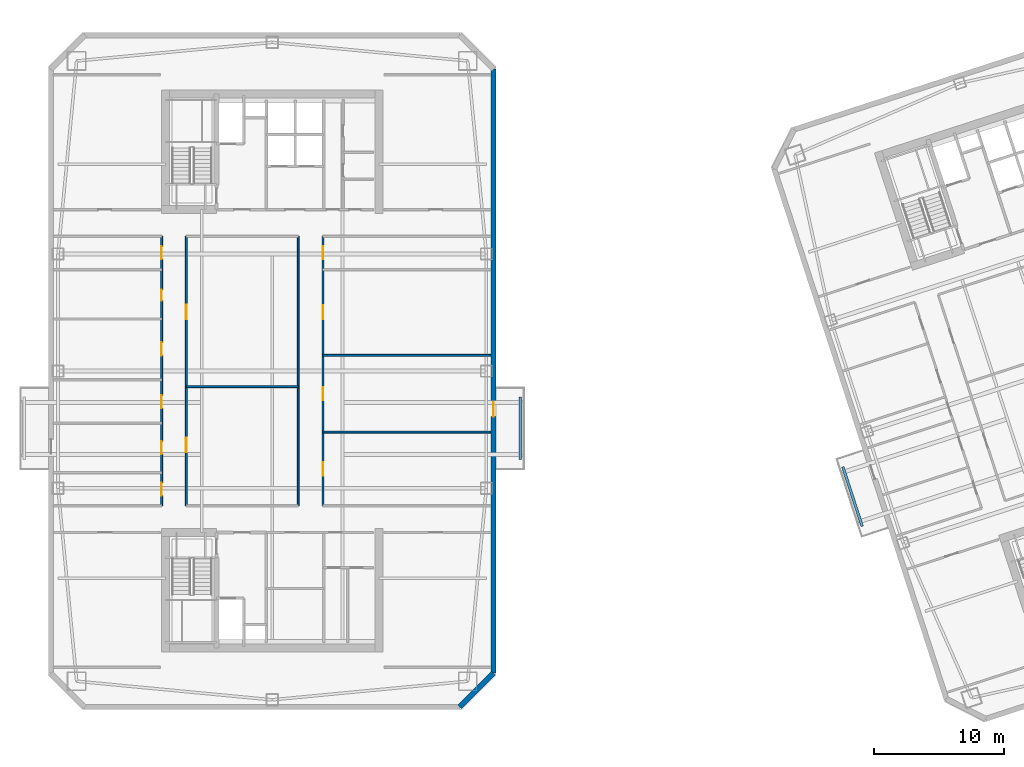
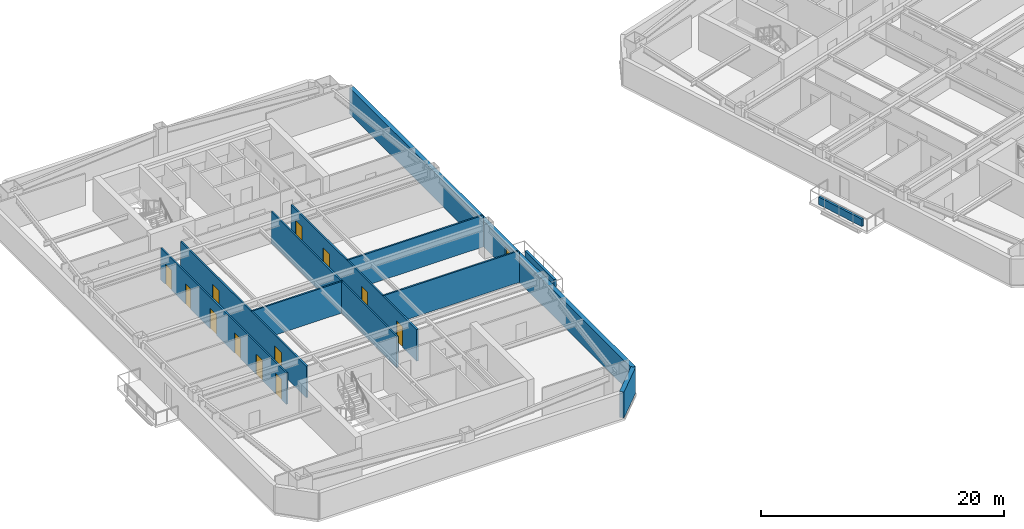
# One storey, part 6 of 15: 13 doors, 11 walls, 13 openings.
"""IFC4 building model written with IfcOpenShell, lengths in metres."""

from ifc_helpers import new_model, si_unit, direction, frame, frame_2d, origin, place, context, subcontext, project, spatial, rectangle, extrude, material, layer, layer_set, type_object, element, fill, save


model = new_model("IFC4")

# Units and contexts
model_context = context("Model", 3, precision=1e-05, world=origin(), true_north=direction((0.0, 1.0)))
body_context = subcontext(model_context, "Body", "Model", "MODEL_VIEW")
ifc_project = project(units=[si_unit("LENGTHUNIT", "METRE"), si_unit("AREAUNIT", "SQUARE_METRE"), si_unit("VOLUMEUNIT", "CUBIC_METRE"), si_unit("PLANEANGLEUNIT", "RADIAN"), si_unit("MASSUNIT", "GRAM", prefix="KILO")], contexts=[model_context])

# Site, building, storey
site_placement = place(None, origin())
site = spatial("IfcSite", under=ifc_project, at=site_placement, CompositionType="ELEMENT")
building_placement = place(site_placement, origin())
building = spatial("IfcBuilding", under=site, at=building_placement, Name="Qiaolan Cultural Towers", CompositionType="ELEMENT")
storey_placement = place(building_placement, frame((0.0, 0.0, 166.75)))
storey = spatial("IfcBuildingStorey", under=building, at=storey_placement, Name="L44", CompositionType="ELEMENT", Elevation=166.75)

# Wall, opening, door
ifc_material_1 = material(Name="Precast Concrete C50 Honed Stone Pier", Category="masonry")
ifc_layer_1 = layer(ifc_material_1, 0.39990234375)
ifc_layer_set_1 = layer_set([ifc_layer_1], Name="Precast Concrete C50 Honed Stone Pier")
wall_type_1 = type_object("IfcWallType", Name="WL-EXT-PIER-400", PredefinedType="SOLIDWALL", material=ifc_layer_set_1)
wall_1_placement = place(storey_placement, frame((47.0, 57.199951171875, 0.0), z_axis=(0.0, 0.0, 1.0), x_axis=(0.0, -1.0, 0.0)))
wall_1 = element("IfcWall", 1, at=wall_1_placement, inside=storey, type_object=wall_type_1, Name="L44 West Tower Precast Pier Facade Wall F5", PredefinedType="SOLIDWALL", context=body_context, shape_type="SweptSolid", body=[
    extrude(rectangle(XDim=46.39990234375, YDim=0.39990234375, at=frame_2d((23.199951171875, 0.0))), origin(), (0.0, 0.0, 1.0), 2.610107421875),
])
opening_1_placement = place(wall_1_placement, frame((25.596435546875, 0.0, 0.0)))
opening_1 = element("IfcOpeningElement", 2, at=opening_1_placement, cuts=wall_1, Name="Opening BD-01", PredefinedType="OPENING", context=body_context, shape_type="SweptSolid", body=[
    extrude(rectangle(XDim=1.10009765625, YDim=2.14990234375, at=frame_2d((0.550048828125, 1.074951171875))), frame((0.0, 0.2099609375, 0.0), z_axis=(0.0, -1.0, 0.0), x_axis=(1.0, 0.0, 0.0)), (0.0, 0.0, 1.0), 0.419921875),
])
ifc_material_2 = material(Name="Thermally Broken Aluminium Glazed Terrace Door", Category="aluminium")
door_type_1 = type_object("IfcDoorType", Name="DR-BAL-1100", OperationType="NOTDEFINED", PredefinedType="DOOR", material=ifc_material_2)
door_1_placement = place(opening_1_placement, origin())
door_1 = element("IfcDoor", 3, at=door_1_placement, inside=storey, type_object=door_type_1, Name="L44 T1 East Tree Balcony Door", OperationType="SINGLE_SWING_RIGHT", OverallHeight=2.14990234375, OverallWidth=1.10009765625, PredefinedType="DOOR", context=body_context, shape_type="SweptSolid", body=[
    extrude(rectangle(XDim=1.10009765625, YDim=2.14990234375, at=frame_2d((0.550048828125, 1.074951171875))), frame((0.0, 0.02490234375, 0.0), z_axis=(0.0, -1.0, 0.0), x_axis=(1.0, 0.0, 0.0)), (0.0, 0.0, 1.0), 0.050048828125),
])
fill(opening_1, door_1)

# Wall
wall_2_placement = place(storey_placement, frame((47.0, 10.800048828125, 0.0), z_axis=(0.0, 0.0, 1.0), x_axis=(-0.707106781187, -0.707106781187, 0.0)))
element("IfcWall", 4, at=wall_2_placement, inside=storey, type_object=wall_type_1, Name="L44 West Tower Precast Pier Facade Wall F6", PredefinedType="SOLIDWALL", context=body_context, shape_type="SweptSolid", body=[
    extrude(rectangle(XDim=3.677001953125, YDim=0.39990234375, at=frame_2d((1.83837890625, 0.0))), origin(), (0.0, 0.0, 1.0), 2.610107421875),
])

# Wall, openings, doors
ifc_material_3 = material(Name="Autoclaved Aerated Concrete Block B06", Category="concrete")
ifc_layer_2 = layer(ifc_material_3, 0.14990234375)
ifc_layer_set_2 = layer_set([ifc_layer_2], Name="Autoclaved Aerated Concrete Block B06")
wall_type_2 = type_object("IfcWallType", Name="WL-PART-150", PredefinedType="PARTITIONING", material=ifc_layer_set_2)
wall_3_placement = place(storey_placement, frame((21.5, 23.64990234375, 0.0), z_axis=(0.0, 0.0, 1.0), x_axis=(0.0, 1.0, 0.0)))
wall_3 = element("IfcWall", 5, at=wall_3_placement, inside=storey, type_object=wall_type_2, Name="L44 T1 Interior Wall", PredefinedType="PARTITIONING", context=body_context, shape_type="SweptSolid", body=[
    extrude(rectangle(XDim=20.7001953125, YDim=0.14990234375, at=frame_2d((10.35009765625, 0.0))), origin(), (0.0, 0.0, 1.0), 3.175048828125),
])
opening_2_placement = place(wall_3_placement, frame((0.77490234375, 0.0, 0.0)))
opening_2 = element("IfcOpeningElement", 6, at=opening_2_placement, cuts=wall_3, Name="Opening ID-04", PredefinedType="OPENING", context=body_context, shape_type="SweptSolid", body=[
    extrude(rectangle(XDim=1.0, YDim=2.050048828125, at=frame_2d((0.5, 1.02490234375))), frame((0.0, 0.0849609375, 0.0), z_axis=(0.0, -1.0, 0.0), x_axis=(1.0, 0.0, 0.0)), (0.0, 0.0, 1.0), 0.169921875),
])
opening_3_placement = place(wall_3_placement, frame((3.949951171875, 0.0, 0.0)))
opening_3 = element("IfcOpeningElement", 7, at=opening_3_placement, cuts=wall_3, Name="Opening ID-04", PredefinedType="OPENING", context=body_context, shape_type="SweptSolid", body=[
    extrude(rectangle(XDim=1.0, YDim=2.050048828125, at=frame_2d((0.5, 1.02490234375))), frame((0.0, 0.0849609375, 0.0), z_axis=(0.0, -1.0, 0.0), x_axis=(1.0, 0.0, 0.0)), (0.0, 0.0, 1.0), 0.169921875),
])
opening_4_placement = place(wall_3_placement, frame((7.510009765625, 0.0, 0.0)))
opening_4 = element("IfcOpeningElement", 8, at=opening_4_placement, cuts=wall_3, Name="Opening ID-04", PredefinedType="OPENING", context=body_context, shape_type="SweptSolid", body=[
    extrude(rectangle(XDim=1.0, YDim=2.050048828125, at=frame_2d((0.5, 1.02490234375))), frame((0.0, 0.0849609375, 0.0), z_axis=(0.0, -1.0, 0.0), x_axis=(1.0, 0.0, 0.0)), (0.0, 0.0, 1.0), 0.169921875),
])
opening_5_placement = place(wall_3_placement, frame((11.510009765625, 0.0, 0.0)))
opening_5 = element("IfcOpeningElement", 9, at=opening_5_placement, cuts=wall_3, Name="Opening ID-07", PredefinedType="OPENING", context=body_context, shape_type="SweptSolid", body=[
    extrude(rectangle(XDim=1.050048828125, YDim=2.050048828125, at=frame_2d((0.52490234375, 1.02490234375))), frame((0.0, 0.0849609375, 0.0), z_axis=(0.0, -1.0, 0.0), x_axis=(1.0, 0.0, 0.0)), (0.0, 0.0, 1.0), 0.169921875),
])
opening_6_placement = place(wall_3_placement, frame((15.75, 0.0, 0.0)))
opening_6 = element("IfcOpeningElement", 10, at=opening_6_placement, cuts=wall_3, Name="Opening ID-09", PredefinedType="OPENING", context=body_context, shape_type="SweptSolid", body=[
    extrude(rectangle(XDim=0.85009765625, YDim=2.050048828125, at=frame_2d((0.425048828125, 1.02490234375))), frame((0.0, 0.0849609375, 0.0), z_axis=(0.0, -1.0, 0.0), x_axis=(1.0, 0.0, 0.0)), (0.0, 0.0, 1.0), 0.169921875),
])
opening_7_placement = place(wall_3_placement, frame((18.925048828125, 0.0, 0.0)))
opening_7 = element("IfcOpeningElement", 11, at=opening_7_placement, cuts=wall_3, Name="Opening ID-04", PredefinedType="OPENING", context=body_context, shape_type="SweptSolid", body=[
    extrude(rectangle(XDim=1.0, YDim=2.050048828125, at=frame_2d((0.5, 1.02490234375))), frame((0.0, 0.0849609375, 0.0), z_axis=(0.0, -1.0, 0.0), x_axis=(1.0, 0.0, 0.0)), (0.0, 0.0, 1.0), 0.169921875),
])
ifc_material_4 = material(Name="Oak Veneer Acoustic Office Door", Category="timber")
door_type_2 = type_object("IfcDoorType", Name="DR-INT-1000", OperationType="NOTDEFINED", PredefinedType="DOOR", material=ifc_material_4)
door_2_placement = place(opening_2_placement, origin())
door_2 = element("IfcDoor", 12, at=door_2_placement, inside=storey, type_object=door_type_2, Name="L44 T1 Executive Boardroom Door", OperationType="SINGLE_SWING_LEFT", OverallHeight=2.050048828125, OverallWidth=1.0, PredefinedType="DOOR", context=body_context, shape_type="SweptSolid", body=[
    extrude(rectangle(XDim=1.0, YDim=2.050048828125, at=frame_2d((0.5, 1.02490234375))), frame((0.0, 0.02490234375, 0.0), z_axis=(0.0, -1.0, 0.0), x_axis=(1.0, 0.0, 0.0)), (0.0, 0.0, 1.0), 0.050048828125),
])
fill(opening_2, door_2)
door_3_placement = place(opening_3_placement, origin())
door_3 = element("IfcDoor", 13, at=door_3_placement, inside=storey, type_object=door_type_2, Name="L44 T1 Executive Boardroom Door", OperationType="SINGLE_SWING_RIGHT", OverallHeight=2.050048828125, OverallWidth=1.0, PredefinedType="DOOR", context=body_context, shape_type="SweptSolid", body=[
    extrude(rectangle(XDim=1.0, YDim=2.050048828125, at=frame_2d((0.5, 1.02490234375))), frame((0.0, 0.02490234375, 0.0), z_axis=(0.0, -1.0, 0.0), x_axis=(1.0, 0.0, 0.0)), (0.0, 0.0, 1.0), 0.050048828125),
])
fill(opening_3, door_3)
door_4_placement = place(opening_4_placement, origin())
door_4 = element("IfcDoor", 14, at=door_4_placement, inside=storey, type_object=door_type_2, Name="L44 T1 Executive Boardroom Door", OperationType="SINGLE_SWING_LEFT", OverallHeight=2.050048828125, OverallWidth=1.0, PredefinedType="DOOR", context=body_context, shape_type="SweptSolid", body=[
    extrude(rectangle(XDim=1.0, YDim=2.050048828125, at=frame_2d((0.5, 1.02490234375))), frame((0.0, 0.02490234375, 0.0), z_axis=(0.0, -1.0, 0.0), x_axis=(1.0, 0.0, 0.0)), (0.0, 0.0, 1.0), 0.050048828125),
])
fill(opening_4, door_4)
door_5_placement = place(opening_7_placement, origin())
door_5 = element("IfcDoor", 15, at=door_5_placement, inside=storey, type_object=door_type_2, Name="L44 T1 VIP Lounge Door", OperationType="SINGLE_SWING_RIGHT", OverallHeight=2.050048828125, OverallWidth=1.0, PredefinedType="DOOR", context=body_context, shape_type="SweptSolid", body=[
    extrude(rectangle(XDim=1.0, YDim=2.050048828125, at=frame_2d((0.5, 1.02490234375))), frame((0.0, 0.02490234375, 0.0), z_axis=(0.0, -1.0, 0.0), x_axis=(1.0, 0.0, 0.0)), (0.0, 0.0, 1.0), 0.050048828125),
])
fill(opening_7, door_5)
ifc_material_5 = material(Name="Oak Veneer Consultation Door", Category="timber")
door_type_3 = type_object("IfcDoorType", Name="DR-INT-1050", OperationType="NOTDEFINED", PredefinedType="DOOR", material=ifc_material_5)
door_6_placement = place(opening_5_placement, origin())
door_6 = element("IfcDoor", 16, at=door_6_placement, inside=storey, type_object=door_type_3, Name="L44 T1 Executive Boardroom Door", OperationType="SINGLE_SWING_RIGHT", OverallHeight=2.050048828125, OverallWidth=1.050048828125, PredefinedType="DOOR", context=body_context, shape_type="SweptSolid", body=[
    extrude(rectangle(XDim=1.050048828125, YDim=2.050048828125, at=frame_2d((0.52490234375, 1.02490234375))), frame((0.0, 0.02490234375, 0.0), z_axis=(0.0, -1.0, 0.0), x_axis=(1.0, 0.0, 0.0)), (0.0, 0.0, 1.0), 0.050048828125),
])
fill(opening_5, door_6)
ifc_material_6 = material(Name="Moisture-Resistant Laminate Utility Door", Category="timber")
door_type_4 = type_object("IfcDoorType", Name="DR-INT-850", OperationType="NOTDEFINED", PredefinedType="DOOR", material=ifc_material_6)
door_7_placement = place(opening_6_placement, origin())
door_7 = element("IfcDoor", 17, at=door_7_placement, inside=storey, type_object=door_type_4, Name="L44 T1 Executive Boardroom Door", OperationType="SINGLE_SWING_LEFT", OverallHeight=2.050048828125, OverallWidth=0.85009765625, PredefinedType="DOOR", context=body_context, shape_type="SweptSolid", body=[
    extrude(rectangle(XDim=0.85009765625, YDim=2.050048828125, at=frame_2d((0.425048828125, 1.02490234375))), frame((0.0, 0.02490234375, 0.0), z_axis=(0.0, -1.0, 0.0), x_axis=(1.0, 0.0, 0.0)), (0.0, 0.0, 1.0), 0.050048828125),
])
fill(opening_6, door_7)

wall_4_placement = place(storey_placement, frame((23.39990234375, 23.64990234375, 0.0), z_axis=(0.0, 0.0, 1.0), x_axis=(0.0, 1.0, 0.0)))
wall_4 = element("IfcWall", 18, at=wall_4_placement, inside=storey, type_object=wall_type_2, Name="L44 T1 Interior Wall", PredefinedType="PARTITIONING", context=body_context, shape_type="SweptSolid", body=[
    extrude(rectangle(XDim=20.7001953125, YDim=0.14990234375, at=frame_2d((10.35009765625, 0.0))), origin(), (0.0, 0.0, 1.0), 3.175048828125),
])
opening_8_placement = place(wall_4_placement, frame((4.117431640625, 0.0, 0.0)))
opening_8 = element("IfcOpeningElement", 19, at=opening_8_placement, cuts=wall_4, Name="Opening ID-03", PredefinedType="OPENING", context=body_context, shape_type="SweptSolid", body=[
    extrude(rectangle(XDim=1.10009765625, YDim=2.050048828125, at=frame_2d((0.550048828125, 1.02490234375))), frame((0.0, 0.0849609375, 0.0), z_axis=(0.0, -1.0, 0.0), x_axis=(1.0, 0.0, 0.0)), (0.0, 0.0, 1.0), 0.169921875),
])
opening_9_placement = place(wall_4_placement, frame((14.347412109375, 0.0, 0.0)))
opening_9 = element("IfcOpeningElement", 20, at=opening_9_placement, cuts=wall_4, Name="Opening ID-03", PredefinedType="OPENING", context=body_context, shape_type="SweptSolid", body=[
    extrude(rectangle(XDim=1.10009765625, YDim=2.050048828125, at=frame_2d((0.550048828125, 1.02490234375))), frame((0.0, 0.0849609375, 0.0), z_axis=(0.0, -1.0, 0.0), x_axis=(1.0, 0.0, 0.0)), (0.0, 0.0, 1.0), 0.169921875),
])
ifc_material_7 = material(Name="Oak Veneer Solid-Core Boardroom Door", Category="timber")
door_type_5 = type_object("IfcDoorType", Name="DR-INT-1100", OperationType="NOTDEFINED", PredefinedType="DOOR", material=ifc_material_7)
door_8_placement = place(opening_8_placement, origin())
door_8 = element("IfcDoor", 21, at=door_8_placement, inside=storey, type_object=door_type_5, Name="L44 T1 Central Boardroom Door", OperationType="SINGLE_SWING_LEFT", OverallHeight=2.050048828125, OverallWidth=1.10009765625, PredefinedType="DOOR", context=body_context, shape_type="SweptSolid", body=[
    extrude(rectangle(XDim=1.10009765625, YDim=2.050048828125, at=frame_2d((0.550048828125, 1.02490234375))), frame((0.0, 0.02490234375, 0.0), z_axis=(0.0, -1.0, 0.0), x_axis=(1.0, 0.0, 0.0)), (0.0, 0.0, 1.0), 0.050048828125),
])
fill(opening_8, door_8)
door_9_placement = place(opening_9_placement, origin())
door_9 = element("IfcDoor", 22, at=door_9_placement, inside=storey, type_object=door_type_5, Name="L44 T1 Central Archive Salon Door", OperationType="SINGLE_SWING_RIGHT", OverallHeight=2.050048828125, OverallWidth=1.10009765625, PredefinedType="DOOR", context=body_context, shape_type="SweptSolid", body=[
    extrude(rectangle(XDim=1.10009765625, YDim=2.050048828125, at=frame_2d((0.550048828125, 1.02490234375))), frame((0.0, 0.02490234375, 0.0), z_axis=(0.0, -1.0, 0.0), x_axis=(1.0, 0.0, 0.0)), (0.0, 0.0, 1.0), 0.050048828125),
])
fill(opening_9, door_9)

# Wall
wall_5_placement = place(storey_placement, frame((32.0, 23.64990234375, 0.0), z_axis=(0.0, 0.0, 1.0), x_axis=(0.0, 1.0, 0.0)))
element("IfcWall", 23, at=wall_5_placement, inside=storey, type_object=wall_type_2, Name="L44 T1 Interior Wall", PredefinedType="PARTITIONING", context=body_context, shape_type="SweptSolid", body=[
    extrude(rectangle(XDim=20.7001953125, YDim=0.14990234375, at=frame_2d((10.35009765625, 0.0))), origin(), (0.0, 0.0, 1.0), 3.175048828125),
])

# Wall, openings, doors
wall_6_placement = place(storey_placement, frame((33.89990234375, 23.64990234375, 0.0), z_axis=(0.0, 0.0, 1.0), x_axis=(0.0, 1.0, 0.0)))
wall_6 = element("IfcWall", 24, at=wall_6_placement, inside=storey, type_object=wall_type_2, Name="L44 T1 Interior Wall", PredefinedType="PARTITIONING", context=body_context, shape_type="SweptSolid", body=[
    extrude(rectangle(XDim=20.7001953125, YDim=0.14990234375, at=frame_2d((10.35009765625, 0.0))), origin(), (0.0, 0.0, 1.0), 3.175048828125),
])
opening_10_placement = place(wall_6_placement, frame((2.32861328125, 0.0, 0.0)))
opening_10 = element("IfcOpeningElement", 25, at=opening_10_placement, cuts=wall_6, Name="Opening ID-04", PredefinedType="OPENING", context=body_context, shape_type="SweptSolid", body=[
    extrude(rectangle(XDim=1.0, YDim=2.050048828125, at=frame_2d((0.5, 1.02490234375))), frame((0.0, 0.0849609375, 0.0), z_axis=(0.0, -1.0, 0.0), x_axis=(1.0, 0.0, 0.0)), (0.0, 0.0, 1.0), 0.169921875),
])
opening_11_placement = place(wall_6_placement, frame((8.103515625, 0.0, 0.0)))
opening_11 = element("IfcOpeningElement", 26, at=opening_11_placement, cuts=wall_6, Name="Opening ID-04", PredefinedType="OPENING", context=body_context, shape_type="SweptSolid", body=[
    extrude(rectangle(XDim=1.0, YDim=2.050048828125, at=frame_2d((0.5, 1.02490234375))), frame((0.0, 0.0849609375, 0.0), z_axis=(0.0, -1.0, 0.0), x_axis=(1.0, 0.0, 0.0)), (0.0, 0.0, 1.0), 0.169921875),
])
opening_12_placement = place(wall_6_placement, frame((14.35009765625, 0.0, 0.0)))
opening_12 = element("IfcOpeningElement", 27, at=opening_12_placement, cuts=wall_6, Name="Opening ID-07", PredefinedType="OPENING", context=body_context, shape_type="SweptSolid", body=[
    extrude(rectangle(XDim=1.050048828125, YDim=2.050048828125, at=frame_2d((0.52490234375, 1.02490234375))), frame((0.0, 0.0849609375, 0.0), z_axis=(0.0, -1.0, 0.0), x_axis=(1.0, 0.0, 0.0)), (0.0, 0.0, 1.0), 0.169921875),
])
opening_13_placement = place(wall_6_placement, frame((18.925048828125, 0.0, 0.0)))
opening_13 = element("IfcOpeningElement", 28, at=opening_13_placement, cuts=wall_6, Name="Opening ID-04", PredefinedType="OPENING", context=body_context, shape_type="SweptSolid", body=[
    extrude(rectangle(XDim=1.0, YDim=2.050048828125, at=frame_2d((0.5, 1.02490234375))), frame((0.0, 0.0849609375, 0.0), z_axis=(0.0, -1.0, 0.0), x_axis=(1.0, 0.0, 0.0)), (0.0, 0.0, 1.0), 0.169921875),
])
door_10_placement = place(opening_10_placement, origin())
door_10 = element("IfcDoor", 29, at=door_10_placement, inside=storey, type_object=door_type_2, Name="L44 T1 Private Office Door", OperationType="SINGLE_SWING_RIGHT", OverallHeight=2.050048828125, OverallWidth=1.0, PredefinedType="DOOR", context=body_context, shape_type="SweptSolid", body=[
    extrude(rectangle(XDim=1.0, YDim=2.050048828125, at=frame_2d((0.5, 1.02490234375))), frame((0.0, 0.02490234375, 0.0), z_axis=(0.0, -1.0, 0.0), x_axis=(1.0, 0.0, 0.0)), (0.0, 0.0, 1.0), 0.050048828125),
])
fill(opening_10, door_10)
door_11_placement = place(opening_11_placement, origin())
door_11 = element("IfcDoor", 30, at=door_11_placement, inside=storey, type_object=door_type_2, Name="L44 T1 Private Office Door", OperationType="SINGLE_SWING_LEFT", OverallHeight=2.050048828125, OverallWidth=1.0, PredefinedType="DOOR", context=body_context, shape_type="SweptSolid", body=[
    extrude(rectangle(XDim=1.0, YDim=2.050048828125, at=frame_2d((0.5, 1.02490234375))), frame((0.0, 0.02490234375, 0.0), z_axis=(0.0, -1.0, 0.0), x_axis=(1.0, 0.0, 0.0)), (0.0, 0.0, 1.0), 0.050048828125),
])
fill(opening_11, door_11)
door_12_placement = place(opening_13_placement, origin())
door_12 = element("IfcDoor", 31, at=door_12_placement, inside=storey, type_object=door_type_2, Name="L44 T1 Catering Kitchen Door", OperationType="SINGLE_SWING_LEFT", OverallHeight=2.050048828125, OverallWidth=1.0, PredefinedType="DOOR", context=body_context, shape_type="SweptSolid", body=[
    extrude(rectangle(XDim=1.0, YDim=2.050048828125, at=frame_2d((0.5, 1.02490234375))), frame((0.0, 0.02490234375, 0.0), z_axis=(0.0, -1.0, 0.0), x_axis=(1.0, 0.0, 0.0)), (0.0, 0.0, 1.0), 0.050048828125),
])
fill(opening_13, door_12)
door_13_placement = place(opening_12_placement, origin())
door_13 = element("IfcDoor", 32, at=door_13_placement, inside=storey, type_object=door_type_3, Name="L44 T1 Occupational Health Room Door", OperationType="SINGLE_SWING_RIGHT", OverallHeight=2.050048828125, OverallWidth=1.050048828125, PredefinedType="DOOR", context=body_context, shape_type="SweptSolid", body=[
    extrude(rectangle(XDim=1.050048828125, YDim=2.050048828125, at=frame_2d((0.52490234375, 1.02490234375))), frame((0.0, 0.02490234375, 0.0), z_axis=(0.0, -1.0, 0.0), x_axis=(1.0, 0.0, 0.0)), (0.0, 0.0, 1.0), 0.050048828125),
])
fill(opening_12, door_13)

# Walls
wall_7_placement = place(storey_placement, frame((23.39990234375, 32.800048828125, 0.0), z_axis=(0.0, 0.0, 1.0), x_axis=(1.0, 0.0, 0.0)))
element("IfcWall", 33, at=wall_7_placement, inside=storey, type_object=wall_type_2, Name="L44 T1 Interior Wall", PredefinedType="PARTITIONING", context=body_context, shape_type="SweptSolid", body=[
    extrude(rectangle(XDim=8.60009765625, YDim=0.14990234375, at=frame_2d((4.300048828125, 0.0))), origin(), (0.0, 0.0, 1.0), 3.175048828125),
])
for number, where, z_axis, x_axis, name in (
    (34, (33.89990234375, 29.306884765625, 0.0), (0.0, 0.0, 1.0), (1.0, 0.0, 0.0), "L44 T1 Interior Wall"),
    (35, (33.89990234375, 35.199951171875, 0.0), (0.0, 0.0, 1.0), (1.0, 0.0, 0.0), "L44 T1 Interior Wall"),
):
    element("IfcWall", number, at=place(storey_placement, frame(where, z_axis=z_axis, x_axis=x_axis)), inside=storey, type_object=wall_type_2, Name=name, PredefinedType="PARTITIONING", context=body_context, shape_type="SweptSolid", body=[
        extrude(rectangle(XDim=12.900146484375, YDim=0.14990234375, at=frame_2d((6.4501953125, 0.0))), origin(), (0.0, 0.0, 1.0), 3.175048828125),
    ])
ifc_material_8 = material(Name="Precast Concrete C45 Tree Planter Upstand", Category="concrete")
ifc_layer_3 = layer(ifc_material_8, 0.199951171875)
ifc_layer_set_3 = layer_set([ifc_layer_3], Name="Precast Concrete C45 Tree Planter Upstand")
wall_type_3 = type_object("IfcWallType", Name="WL-PLANTER-200", PredefinedType="PARAPET", material=ifc_layer_set_3)
for number, where, z_axis, x_axis, name in (
    (36, (49.050048828125, 27.199951171875, 0.0), (0.0, 0.0, 1.0), (0.0, 1.0, 0.0), "L44 T1 Tree Balcony Soil Planter Box E"),
    (37, (75.315185546875, 22.07861328125, 0.0), (0.0, 0.0, 1.0), (-0.309032019345, 0.951051634255, 0.0), "L44 T2 Tree Balcony Soil Planter Box W"),
):
    element("IfcWall", number, at=place(storey_placement, frame(where, z_axis=z_axis, x_axis=x_axis)), inside=storey, type_object=wall_type_3, Name=name, PredefinedType="PARAPET", context=body_context, shape_type="SweptSolid", body=[
        extrude(rectangle(XDim=4.800048828125, YDim=0.199951171875, at=frame_2d((2.39990234375, 0.0))), origin(), (0.0, 0.0, 1.0), 0.75),
    ])

save(model, "model.ifc")
